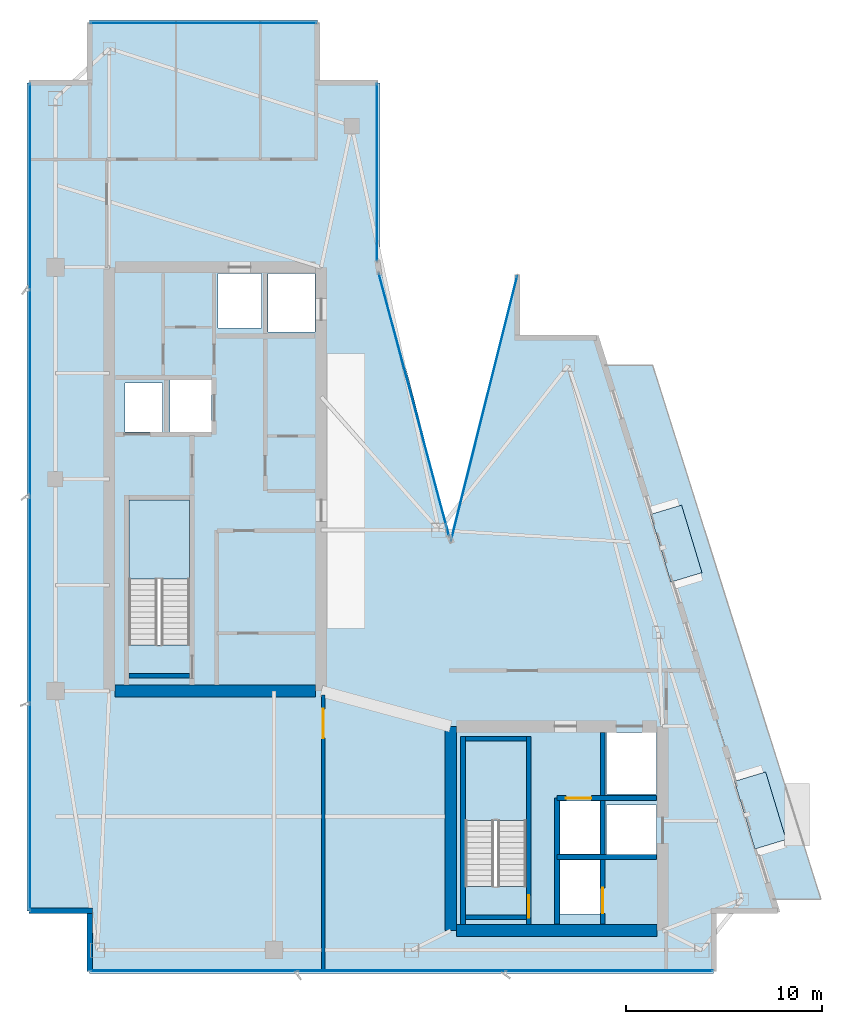
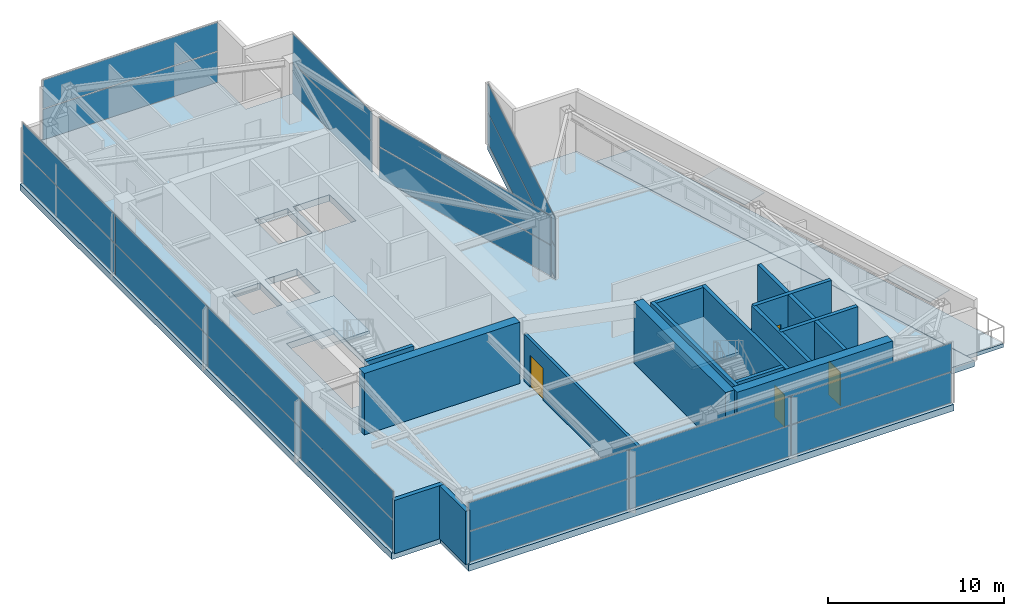
# One storey, part 20 of 25: 24 plates, 15 walls, 4 doors, 4 slabs, 4 openings, 8 elements without a shape of their own.
"""IFC4 building model written with IfcOpenShell, lengths in metres."""

from ifc_helpers import new_model, si_unit, direction, frame, frame_2d, origin, origin_2d, place, context, subcontext, project, spatial, polyline, rectangle, outline, extrude, material, layer, layer_set, type_object, element, fill, aggregate, save


model = new_model("IFC4")

# Units and contexts
model_context = context("Model", 3, precision=1e-05, world=origin(), true_north=direction((0.0, 1.0)))
body_context = subcontext(model_context, "Body", "Model", "MODEL_VIEW")
ifc_project = project(units=[si_unit("LENGTHUNIT", "METRE"), si_unit("AREAUNIT", "SQUARE_METRE"), si_unit("VOLUMEUNIT", "CUBIC_METRE"), si_unit("PLANEANGLEUNIT", "RADIAN"), si_unit("MASSUNIT", "GRAM", prefix="KILO")], contexts=[model_context])

# Site, building, storey
site_placement = place(None, origin())
site = spatial("IfcSite", under=ifc_project, at=site_placement, CompositionType="ELEMENT")
building_placement = place(site_placement, origin())
building = spatial("IfcBuilding", under=site, at=building_placement, Name="Calvorn Quay Hotel", CompositionType="ELEMENT")
storey_placement = place(building_placement, frame((0.0, 0.0, 307.0)))
storey = spatial("IfcBuildingStorey", under=building, at=storey_placement, Name="L76", CompositionType="ELEMENT", Elevation=307.0)

# Curtain wall, plates
ifc_material_1 = material(Name="Champagne Bronze Anodised Aluminium and Low-E Glass", Category="aluminium")
ifc_layer_1 = layer(ifc_material_1, 0.219970703125)
ifc_layer_set_1 = layer_set([ifc_layer_1], Name="CW-SYS-Z4")
curtain_wall_type = type_object("IfcCurtainWallType", Name="CW-SYS-Z4", PredefinedType="NOTDEFINED", material=ifc_layer_set_1)
curtain_wall_1_placement = place(storey_placement, origin())
curtain_wall_1 = element("IfcCurtainWall", 1, at=curtain_wall_1_placement, inside=storey, type_object=curtain_wall_type, Name="Tower West Curtain Wall (L76)", PredefinedType="NOTDEFINED")
ifc_material_2 = material(Name="Low-E Laminated Double Glazing", Category="glass")
ifc_layer_2 = layer(ifc_material_2, 0.028076171875)
ifc_layer_set_2 = layer_set([ifc_layer_2], Name="CW-SYS-Z4-PAN")
plate_type_1 = type_object("IfcPlateType", Name="CW-SYS-Z4-PAN", PredefinedType="CURTAIN_PANEL", material=ifc_layer_set_2)
plate_1_placement = place(storey_placement, frame((0.14990234375, 10.889892578125, 0.06005859375), z_axis=(0.0, 0.0, 1.0), x_axis=(0.0, 1.0, 0.0)))
plate_1 = element("IfcPlate", 2, at=plate_1_placement, type_object=plate_type_1, Name="CW-L76-W panel 1.1", PredefinedType="CURTAIN_PANEL", context=body_context, shape_type="SweptSolid", body=[
    extrude(rectangle(XDim=10.4599609375, YDim=0.028076171875, at=origin_2d()), origin(), (0.0, 0.0, 1.0), 2.110107421875),
])
plate_2_placement = place(storey_placement, frame((0.14990234375, 10.889892578125, 2.22998046875), z_axis=(0.0, 0.0, 1.0), x_axis=(0.0, 1.0, 0.0)))
plate_2 = element("IfcPlate", 3, at=plate_2_placement, type_object=plate_type_1, Name="CW-L76-W panel 1.2", PredefinedType="CURTAIN_PANEL", context=body_context, shape_type="SweptSolid", body=[
    extrude(rectangle(XDim=10.4599609375, YDim=0.028076171875, at=origin_2d()), origin(), (0.0, 0.0, 1.0), 1.969970703125),
])
plate_3_placement = place(storey_placement, frame((0.14990234375, 21.425048828125, 0.06005859375), z_axis=(0.0, 0.0, 1.0), x_axis=(0.0, 1.0, 0.0)))
plate_3 = element("IfcPlate", 4, at=plate_3_placement, type_object=plate_type_1, Name="CW-L76-W panel 2.1", PredefinedType="CURTAIN_PANEL", context=body_context, shape_type="SweptSolid", body=[
    extrude(rectangle(XDim=10.489990234375, YDim=0.028076171875, at=origin_2d()), origin(), (0.0, 0.0, 1.0), 2.110107421875),
])
plate_4_placement = place(storey_placement, frame((0.14990234375, 21.425048828125, 2.22998046875), z_axis=(0.0, 0.0, 1.0), x_axis=(0.0, 1.0, 0.0)))
plate_4 = element("IfcPlate", 5, at=plate_4_placement, type_object=plate_type_1, Name="CW-L76-W panel 2.2", PredefinedType="CURTAIN_PANEL", context=body_context, shape_type="SweptSolid", body=[
    extrude(rectangle(XDim=10.489990234375, YDim=0.028076171875, at=origin_2d()), origin(), (0.0, 0.0, 1.0), 1.969970703125),
])
plate_5_placement = place(storey_placement, frame((0.14990234375, 31.97509765625, 0.06005859375), z_axis=(0.0, 0.0, 1.0), x_axis=(0.0, 1.0, 0.0)))
plate_5 = element("IfcPlate", 6, at=plate_5_placement, type_object=plate_type_1, Name="CW-L76-W panel 3.1", PredefinedType="CURTAIN_PANEL", context=body_context, shape_type="SweptSolid", body=[
    extrude(rectangle(XDim=10.489990234375, YDim=0.028076171875, at=origin_2d()), origin(), (0.0, 0.0, 1.0), 2.110107421875),
])
plate_6_placement = place(storey_placement, frame((0.14990234375, 31.97509765625, 2.22998046875), z_axis=(0.0, 0.0, 1.0), x_axis=(0.0, 1.0, 0.0)))
plate_6 = element("IfcPlate", 7, at=plate_6_placement, type_object=plate_type_1, Name="CW-L76-W panel 3.2", PredefinedType="CURTAIN_PANEL", context=body_context, shape_type="SweptSolid", body=[
    extrude(rectangle(XDim=10.489990234375, YDim=0.028076171875, at=origin_2d()), origin(), (0.0, 0.0, 1.0), 1.969970703125),
])
plate_7_placement = place(storey_placement, frame((0.14990234375, 42.510009765625, 0.06005859375), z_axis=(0.0, 0.0, 1.0), x_axis=(0.0, 1.0, 0.0)))
plate_7 = element("IfcPlate", 8, at=plate_7_placement, type_object=plate_type_1, Name="CW-L76-W panel 4.1", PredefinedType="CURTAIN_PANEL", context=body_context, shape_type="SweptSolid", body=[
    extrude(rectangle(XDim=10.4599609375, YDim=0.028076171875, at=origin_2d()), origin(), (0.0, 0.0, 1.0), 2.110107421875),
])
plate_8_placement = place(storey_placement, frame((0.14990234375, 42.510009765625, 2.22998046875), z_axis=(0.0, 0.0, 1.0), x_axis=(0.0, 1.0, 0.0)))
plate_8 = element("IfcPlate", 9, at=plate_8_placement, type_object=plate_type_1, Name="CW-L76-W panel 4.2", PredefinedType="CURTAIN_PANEL", context=body_context, shape_type="SweptSolid", body=[
    extrude(rectangle(XDim=10.4599609375, YDim=0.028076171875, at=origin_2d()), origin(), (0.0, 0.0, 1.0), 1.969970703125),
])
aggregate(curtain_wall_1, [plate_1, plate_2, plate_3, plate_4, plate_5, plate_6, plate_7, plate_8])

curtain_wall_2_placement = place(storey_placement, origin())
curtain_wall_2 = element("IfcCurtainWall", 10, at=curtain_wall_2_placement, inside=storey, type_object=curtain_wall_type, Name="Tower South Waterfront Curtain Wall (L76)", PredefinedType="NOTDEFINED")
plate_9_placement = place(storey_placement, frame((8.514892578125, 2.550048828125, 0.06005859375), z_axis=(0.0, 0.0, 1.0), x_axis=(1.0, 0.0, 0.0)))
plate_9 = element("IfcPlate", 11, at=plate_9_placement, type_object=plate_type_1, Name="CW-L76-S panel 1.1", PredefinedType="CURTAIN_PANEL", context=body_context, shape_type="SweptSolid", body=[
    extrude(rectangle(XDim=10.510009765625, YDim=0.028076171875, at=origin_2d()), origin(), (0.0, 0.0, 1.0), 2.110107421875),
])
plate_10_placement = place(storey_placement, frame((8.514892578125, 2.550048828125, 2.22998046875), z_axis=(0.0, 0.0, 1.0), x_axis=(1.0, 0.0, 0.0)))
plate_10 = element("IfcPlate", 12, at=plate_10_placement, type_object=plate_type_1, Name="CW-L76-S panel 1.2", PredefinedType="CURTAIN_PANEL", context=body_context, shape_type="SweptSolid", body=[
    extrude(rectangle(XDim=10.510009765625, YDim=0.028076171875, at=origin_2d()), origin(), (0.0, 0.0, 1.0), 1.969970703125),
])
plate_11_placement = place(storey_placement, frame((19.10009765625, 2.550048828125, 0.06005859375), z_axis=(0.0, 0.0, 1.0), x_axis=(1.0, 0.0, 0.0)))
plate_11 = element("IfcPlate", 13, at=plate_11_placement, type_object=plate_type_1, Name="CW-L76-S panel 2.1", PredefinedType="CURTAIN_PANEL", context=body_context, shape_type="SweptSolid", body=[
    extrude(rectangle(XDim=10.5400390625, YDim=0.028076171875, at=origin_2d()), origin(), (0.0, 0.0, 1.0), 2.110107421875),
])
plate_12_placement = place(storey_placement, frame((19.10009765625, 2.550048828125, 2.22998046875), z_axis=(0.0, 0.0, 1.0), x_axis=(1.0, 0.0, 0.0)))
plate_12 = element("IfcPlate", 14, at=plate_12_placement, type_object=plate_type_1, Name="CW-L76-S panel 2.2", PredefinedType="CURTAIN_PANEL", context=body_context, shape_type="SweptSolid", body=[
    extrude(rectangle(XDim=10.5400390625, YDim=0.028076171875, at=origin_2d()), origin(), (0.0, 0.0, 1.0), 1.969970703125),
])
plate_13_placement = place(storey_placement, frame((29.68505859375, 2.550048828125, 0.06005859375), z_axis=(0.0, 0.0, 1.0), x_axis=(1.0, 0.0, 0.0)))
plate_13 = element("IfcPlate", 15, at=plate_13_placement, type_object=plate_type_1, Name="CW-L76-S panel 3.1", PredefinedType="CURTAIN_PANEL", context=body_context, shape_type="SweptSolid", body=[
    extrude(rectangle(XDim=10.510009765625, YDim=0.028076171875, at=origin_2d()), origin(), (0.0, 0.0, 1.0), 2.110107421875),
])
plate_14_placement = place(storey_placement, frame((29.68505859375, 2.550048828125, 2.22998046875), z_axis=(0.0, 0.0, 1.0), x_axis=(1.0, 0.0, 0.0)))
plate_14 = element("IfcPlate", 16, at=plate_14_placement, type_object=plate_type_1, Name="CW-L76-S panel 3.2", PredefinedType="CURTAIN_PANEL", context=body_context, shape_type="SweptSolid", body=[
    extrude(rectangle(XDim=10.510009765625, YDim=0.028076171875, at=origin_2d()), origin(), (0.0, 0.0, 1.0), 1.969970703125),
])
aggregate(curtain_wall_2, [plate_9, plate_10, plate_11, plate_12, plate_13, plate_14])

curtain_wall_3_placement = place(storey_placement, origin())
curtain_wall_3 = element("IfcCurtainWall", 17, at=curtain_wall_3_placement, inside=storey, type_object=curtain_wall_type, Name="Inner Court Curtain Wall L76-NE1", PredefinedType="NOTDEFINED")
plate_15_placement = place(storey_placement, frame((23.300048828125, 31.199951171875, 0.06005859375), z_axis=(0.0, 0.0, 1.0), x_axis=(-0.242535625038, -0.970142500145, 0.0)))
plate_15 = element("IfcPlate", 18, at=plate_15_placement, type_object=plate_type_1, Name="CW-L76-NE1 panel 1.1", PredefinedType="CURTAIN_PANEL", context=body_context, shape_type="SweptSolid", body=[
    extrude(rectangle(XDim=13.8984375, YDim=0.028076171875, at=origin_2d()), origin(), (0.0, 0.0, 1.0), 2.110107421875),
])
plate_16_placement = place(storey_placement, frame((23.300048828125, 31.199951171875, 2.22998046875), z_axis=(0.0, 0.0, 1.0), x_axis=(-0.242535625038, -0.970142500145, 0.0)))
plate_16 = element("IfcPlate", 19, at=plate_16_placement, type_object=plate_type_1, Name="CW-L76-NE1 panel 1.2", PredefinedType="CURTAIN_PANEL", context=body_context, shape_type="SweptSolid", body=[
    extrude(rectangle(XDim=13.8984375, YDim=0.028076171875, at=origin_2d()), origin(), (0.0, 0.0, 1.0), 1.969970703125),
])
aggregate(curtain_wall_3, [plate_15, plate_16])

curtain_wall_4_placement = place(storey_placement, origin())
curtain_wall_4 = element("IfcCurtainWall", 20, at=curtain_wall_4_placement, inside=storey, type_object=curtain_wall_type, Name="Inner Court Curtain Wall L76-IC1", PredefinedType="NOTDEFINED")
plate_17_placement = place(storey_placement, frame((19.72509765625, 31.39990234375, 0.06005859375), z_axis=(0.0, 0.0, 1.0), x_axis=(-0.25877913024, 0.96593652056, 0.0)))
plate_17 = element("IfcPlate", 21, at=plate_17_placement, type_object=plate_type_1, Name="CW-L76-IC1 panel 1.1", PredefinedType="CURTAIN_PANEL", context=body_context, shape_type="SweptSolid", body=[
    extrude(rectangle(XDim=13.814697265625, YDim=0.028076171875, at=origin_2d()), origin(), (0.0, 0.0, 1.0), 2.110107421875),
])
plate_18_placement = place(storey_placement, frame((19.72509765625, 31.39990234375, 2.22998046875), z_axis=(0.0, 0.0, 1.0), x_axis=(-0.25877913024, 0.96593652056, 0.0)))
plate_18 = element("IfcPlate", 22, at=plate_18_placement, type_object=plate_type_1, Name="CW-L76-IC1 panel 1.2", PredefinedType="CURTAIN_PANEL", context=body_context, shape_type="SweptSolid", body=[
    extrude(rectangle(XDim=13.814697265625, YDim=0.028076171875, at=origin_2d()), origin(), (0.0, 0.0, 1.0), 1.969970703125),
])
aggregate(curtain_wall_4, [plate_17, plate_18])

curtain_wall_5_placement = place(storey_placement, origin())
curtain_wall_5 = element("IfcCurtainWall", 23, at=curtain_wall_5_placement, inside=storey, type_object=curtain_wall_type, Name="Inner Court Curtain Wall L76-IC2", PredefinedType="NOTDEFINED")
plate_19_placement = place(storey_placement, frame((17.85009765625, 43.239990234375, 0.06005859375), z_axis=(0.0, 0.0, 1.0), x_axis=(0.0, 1.0, 0.0)))
plate_19 = element("IfcPlate", 24, at=plate_19_placement, type_object=plate_type_1, Name="CW-L76-IC2 panel 1.1", PredefinedType="CURTAIN_PANEL", context=body_context, shape_type="SweptSolid", body=[
    extrude(rectangle(XDim=9.0, YDim=0.028076171875, at=origin_2d()), origin(), (0.0, 0.0, 1.0), 2.110107421875),
])
plate_20_placement = place(storey_placement, frame((17.85009765625, 43.239990234375, 2.22998046875), z_axis=(0.0, 0.0, 1.0), x_axis=(0.0, 1.0, 0.0)))
plate_20 = element("IfcPlate", 25, at=plate_20_placement, type_object=plate_type_1, Name="CW-L76-IC2 panel 1.2", PredefinedType="CURTAIN_PANEL", context=body_context, shape_type="SweptSolid", body=[
    extrude(rectangle(XDim=9.0, YDim=0.028076171875, at=origin_2d()), origin(), (0.0, 0.0, 1.0), 1.969970703125),
])
aggregate(curtain_wall_5, [plate_19, plate_20])

curtain_wall_6_placement = place(storey_placement, origin())
curtain_wall_6 = element("IfcCurtainWall", 26, at=curtain_wall_6_placement, inside=storey, type_object=curtain_wall_type, Name="Inner Court Curtain Wall L76-N1", PredefinedType="NOTDEFINED")
plate_21_placement = place(storey_placement, frame((9.0, 50.85009765625, 0.06005859375), z_axis=(0.0, 0.0, 1.0), x_axis=(-1.0, 0.0, 0.0)))
plate_21 = element("IfcPlate", 27, at=plate_21_placement, type_object=plate_type_1, Name="CW-L76-N1 panel 1.1", PredefinedType="CURTAIN_PANEL", context=body_context, shape_type="SweptSolid", body=[
    extrude(rectangle(XDim=11.47998046875, YDim=0.028076171875, at=origin_2d()), origin(), (0.0, 0.0, 1.0), 2.110107421875),
])
plate_22_placement = place(storey_placement, frame((9.0, 50.85009765625, 2.22998046875), z_axis=(0.0, 0.0, 1.0), x_axis=(-1.0, 0.0, 0.0)))
plate_22 = element("IfcPlate", 28, at=plate_22_placement, type_object=plate_type_1, Name="CW-L76-N1 panel 1.2", PredefinedType="CURTAIN_PANEL", context=body_context, shape_type="SweptSolid", body=[
    extrude(rectangle(XDim=11.47998046875, YDim=0.028076171875, at=origin_2d()), origin(), (0.0, 0.0, 1.0), 1.969970703125),
])
aggregate(curtain_wall_6, [plate_21, plate_22])

# Plates
ifc_material_3 = material(Name="Tempered Laminated Low-E Glass", Category="glass")
ifc_layer_3 = layer(ifc_material_3, 0.0380859375)
ifc_layer_set_3 = layer_set([ifc_layer_3], Name="PLT-HOOD-GLAZ")
plate_type_2 = type_object("IfcPlateType", Name="PLT-HOOD-GLAZ", PredefinedType="SHEET", material=ifc_layer_set_3)
for number, where, z_axis, x_axis, name in (
    (29, (37.3740234375, 10.718017578125, 2.467041015625), (0.0, 0.0, 1.0), (0.957319497532, 0.289031796944, 0.0), "Angled Glass Bay Hood Panel L76-HOOD-1"),
    (30, (33.089111328125, 24.318115234375, 2.467041015625), (0.0, 0.0, 1.0), (0.957319497532, 0.289031796944, 0.0), "Angled Glass Bay Hood Panel L76-HOOD-3"),
):
    element("IfcPlate", number, at=place(storey_placement, frame(where, z_axis=z_axis, x_axis=x_axis)), inside=storey, type_object=plate_type_2, Name=name, PredefinedType="SHEET", context=body_context, shape_type="SweptSolid", body=[
        extrude(rectangle(XDim=1.659912109375, YDim=3.60009765625, at=origin_2d()), origin(), (0.0, 0.0, 1.0), 0.0380859375),
    ])

# Stair, slab
ifc_material_4 = material(Name="Concrete C40", Category="concrete")
stair_type = type_object("IfcStairType", Name="STR-CORE-DOGLEG", PredefinedType="HALF_TURN_STAIR", material=ifc_material_4)
stair_1_placement = place(storey_placement, origin())
stair_1 = element("IfcStair", 31, at=stair_1_placement, inside=storey, type_object=stair_type, Name="L76 ST-W", PredefinedType="HALF_TURN_STAIR")
ifc_material_5 = material(Name="Concrete C40", Category="concrete")
ifc_layer_4 = layer(ifc_material_5, 0.199951171875)
ifc_layer_set_4 = layer_set([ifc_layer_4], Name="SLB-STAIR-LANDING-200")
slab_type_1 = type_object("IfcSlabType", Name="SLB-STAIR-LANDING-200", PredefinedType="LANDING", material=ifc_layer_set_4)
slab_1_placement = place(storey_placement, frame((0.0, 0.0, 2.050048828125)))
slab_1 = element("IfcSlab", 32, at=slab_1_placement, type_object=slab_type_1, Name="ST-W landing 1", PredefinedType="LANDING", context=body_context, shape_type="SweptSolid", body=[
    extrude(outline(polyline([(8.300048828125, 22.510009765625), (8.300048828125, 26.550048828125), (5.199951171875, 26.550048828125), (5.199951171875, 22.510009765625), (8.300048828125, 22.510009765625)])), origin(), (0.0, 0.0, 1.0), 0.199951171875),
])
aggregate(stair_1, [slab_1])

stair_2_placement = place(storey_placement, origin())
stair_2 = element("IfcStair", 33, at=stair_2_placement, inside=storey, type_object=stair_type, Name="L76 ST-E", PredefinedType="HALF_TURN_STAIR")
slab_2_placement = place(storey_placement, frame((0.0, 0.0, 2.050048828125)))
slab_2 = element("IfcSlab", 34, at=slab_2_placement, type_object=slab_type_1, Name="ST-E landing 1", PredefinedType="LANDING", context=body_context, shape_type="SweptSolid", body=[
    extrude(outline(polyline([(25.449951171875, 10.2099609375), (25.449951171875, 14.25), (22.35009765625, 14.25), (22.35009765625, 10.2099609375), (25.449951171875, 10.2099609375)])), origin(), (0.0, 0.0, 1.0), 0.199951171875),
])
aggregate(stair_2, [slab_2])

# Slabs
ifc_material_6 = material(Name="Concrete C40", Category="concrete")
ifc_layer_5 = layer(ifc_material_6, 0.260009765625)
ifc_layer_set_5 = layer_set([ifc_layer_5], Name="SLB-TERRACE-260")
slab_type_2 = type_object("IfcSlabType", Name="SLB-TERRACE-260", PredefinedType="ROOF", material=ifc_layer_set_5)
slab_3_placement = place(storey_placement, frame((0.0, 0.0, -0.260009765625)))
element("IfcSlab", 35, at=slab_3_placement, inside=storey, type_object=slab_type_2, Name="Sawtooth Setback Terrace Slab L76", PredefinedType="ROOF", context=body_context, shape_type="SweptSolid", body=[
    extrude(outline(polyline([(38.031005859375, 6.199951171875), (40.4609375, 6.199951171875), (31.89111328125, 33.39990234375), (29.4609375, 33.39990234375), (38.031005859375, 6.199951171875)])), origin(), (0.0, 0.0, 1.0), 0.260009765625),
])
ifc_material_7 = material(Name="Concrete C50", Category="concrete")
ifc_layer_6 = layer(ifc_material_7, 0.449951171875)
ifc_layer_set_6 = layer_set([ifc_layer_6], Name="SLB-XFER-450")
slab_type_3 = type_object("IfcSlabType", Name="SLB-XFER-450", PredefinedType="FLOOR", material=ifc_layer_set_6)
slab_4_placement = place(storey_placement, frame((0.0, 0.0, -0.449951171875)))
element("IfcSlab", 36, at=slab_4_placement, inside=storey, type_object=slab_type_3, Name="L76 Structural Floor Slab", PredefinedType="FLOOR", context=body_context, shape_type="SweptSolid", body=[
    extrude(outline(polyline([(0.0, 5.60009765625), (3.199951171875, 5.60009765625), (3.199951171875, 2.39990234375), (35.0, 2.39990234375), (35.0, 5.60009765625), (38.199951171875, 5.60009765625), (29.0, 34.800048828125), (25.0, 34.800048828125), (25.0, 38.0), (21.60009765625, 24.39990234375), (18.0, 38.39990234375), (18.0, 47.800048828125), (14.800048828125, 47.800048828125), (14.800048828125, 51.0), (3.199951171875, 51.0), (3.199951171875, 47.800048828125), (0.0, 47.800048828125), (0.0, 5.60009765625)]), holes=[polyline([(5.199951171875, 19.156005859375), (8.300048828125, 19.156005859375), (8.300048828125, 26.550048828125), (5.199951171875, 26.550048828125), (5.199951171875, 19.156005859375)]), polyline([(22.35009765625, 6.85595703125), (25.449951171875, 6.85595703125), (25.449951171875, 14.25), (22.35009765625, 14.25), (22.35009765625, 6.85595703125)]), polyline([(5.0, 30.0), (6.89990234375, 30.0), (6.89990234375, 32.5), (5.0, 32.5), (5.0, 30.0)]), polyline([(7.300048828125, 30.0), (9.39990234375, 30.0), (9.39990234375, 32.64990234375), (7.300048828125, 32.64990234375), (7.300048828125, 30.0)]), polyline([(27.159912109375, 8.5), (29.2099609375, 8.5), (29.2099609375, 11.199951171875), (27.159912109375, 11.199951171875), (27.159912109375, 8.5)]), polyline([(27.159912109375, 5.449951171875), (29.2099609375, 5.449951171875), (29.2099609375, 8.199951171875), (27.159912109375, 8.199951171875), (27.159912109375, 5.449951171875)]), polyline([(12.300048828125, 35.10009765625), (14.68994140625, 35.10009765625), (14.68994140625, 38.090087890625), (12.300048828125, 38.090087890625), (12.300048828125, 35.10009765625)]), polyline([(9.75, 35.300048828125), (11.949951171875, 35.300048828125), (11.949951171875, 38.090087890625), (9.75, 38.090087890625), (9.75, 35.300048828125)]), polyline([(29.550048828125, 11.550048828125), (32.090087890625, 11.550048828125), (32.090087890625, 14.68994140625), (29.550048828125, 14.68994140625), (29.550048828125, 11.550048828125)]), polyline([(29.550048828125, 8.449951171875), (32.090087890625, 8.449951171875), (32.090087890625, 11.0), (29.550048828125, 11.0), (29.550048828125, 8.449951171875)])]), origin(), (0.0, 0.0, 1.0), 0.449951171875),
])

# Walls
ifc_material_8 = material(Name="Concrete C45", Category="concrete")
ifc_layer_7 = layer(ifc_material_8, 0.60009765625)
ifc_layer_set_7 = layer_set([ifc_layer_7], Name="WL-CORE-600")
wall_type_1 = type_object("IfcWallType", Name="WL-CORE-600", PredefinedType="SHEAR", material=ifc_layer_set_7)
wall_1_placement = place(storey_placement, frame((4.5, 16.800048828125, 0.0), z_axis=(0.0, 0.0, 1.0), x_axis=(1.0, 0.0, 0.0)))
element("IfcWall", 37, at=wall_1_placement, inside=storey, type_object=wall_type_1, Name="West Core Shear Wall S (L76)", PredefinedType="SHEAR", context=body_context, shape_type="SweptSolid", body=[
    extrude(rectangle(XDim=10.199951171875, YDim=0.60009765625, at=frame_2d((5.10009765625, 0.0))), origin(), (0.0, 0.0, 1.0), 4.260009765625),
])
wall_2_placement = place(storey_placement, frame((21.60009765625, 4.60009765625, 0.0), z_axis=(0.0, 0.0, 1.0), x_axis=(0.0, 1.0, 0.0)))
element("IfcWall", 38, at=wall_2_placement, inside=storey, type_object=wall_type_1, Name="East Core Shear Wall W (L76)", PredefinedType="SHEAR", context=body_context, shape_type="SweptSolid", body=[
    extrude(rectangle(XDim=10.39990234375, YDim=0.60009765625, at=frame_2d((5.199951171875, 0.0))), origin(), (0.0, 0.0, 1.0), 4.260009765625),
])
wall_3_placement = place(storey_placement, frame((21.89990234375, 4.60009765625, 0.0), z_axis=(0.0, 0.0, 1.0), x_axis=(1.0, 0.0, 0.0)))
element("IfcWall", 39, at=wall_3_placement, inside=storey, type_object=wall_type_1, Name="East Core Shear Wall S (L76)", PredefinedType="SHEAR", context=body_context, shape_type="SweptSolid", body=[
    extrude(rectangle(XDim=10.2001953125, YDim=0.60009765625, at=frame_2d((5.10009765625, 0.0))), origin(), (0.0, 0.0, 1.0), 4.260009765625),
])

# Wall, opening, door
ifc_material_9 = material(Name="Acoustic Fireboard Steel-Stud Partition", Category="steel")
ifc_layer_8 = layer(ifc_material_9, 0.179931640625)
ifc_layer_set_8 = layer_set([ifc_layer_8], Name="WL-CORR-FIRE-180")
wall_type_2 = type_object("IfcWallType", Name="WL-CORR-FIRE-180", PredefinedType="PARTITIONING", material=ifc_layer_set_8)
wall_4_placement = place(storey_placement, frame((15.10009765625, 2.60009765625, 0.0), z_axis=(0.0, 0.0, 1.0), x_axis=(0.0, 1.0, 0.0)))
wall_4 = element("IfcWall", 40, at=wall_4_placement, inside=storey, type_object=wall_type_2, Name="Partition Wall L76-WL-SK-SW-E", PredefinedType="PARTITIONING", context=body_context, shape_type="SweptSolid", body=[
    extrude(rectangle(XDim=14.0, YDim=0.179931640625, at=frame_2d((7.0, 0.0))), origin(), (0.0, 0.0, 1.0), 3.2900390625),
])
opening_1_placement = place(wall_4_placement, frame((11.800048828125, 0.0, 0.0)))
opening_1 = element("IfcOpeningElement", 41, at=opening_1_placement, cuts=wall_4, Name="Opening D-L76-A1", PredefinedType="OPENING", context=body_context, shape_type="SweptSolid", body=[
    extrude(rectangle(XDim=1.5, YDim=2.219970703125, at=frame_2d((0.75, 1.10986328125))), frame((0.0, 0.099853515625, 0.0), z_axis=(0.0, -1.0, 0.0), x_axis=(1.0, 0.0, 0.0)), (0.0, 0.0, 1.0), 0.199951171875),
])
ifc_material_10 = material(Name="Solid-Core Walnut Double Suite Entry Door")
door_type_1 = type_object("IfcDoorType", Name="DR-SUITE-DBL-1500", OperationType="NOTDEFINED", PredefinedType="DOOR", material=ifc_material_10)
door_1_placement = place(opening_1_placement, origin())
door_1 = element("IfcDoor", 42, at=door_1_placement, inside=storey, type_object=door_type_1, Name="West Salon Door", OperationType="SINGLE_SWING_LEFT", OverallHeight=2.219970703125, OverallWidth=1.5, PredefinedType="DOOR", context=body_context, shape_type="SweptSolid", body=[
    extrude(rectangle(XDim=1.5, YDim=2.219970703125, at=frame_2d((0.75, 1.10986328125))), frame((0.0, 0.02490234375, 0.0), z_axis=(0.0, -1.0, 0.0), x_axis=(1.0, 0.0, 0.0)), (0.0, 0.0, 1.0), 0.050048828125),
])
fill(opening_1, door_1)

# Walls
ifc_material_11 = material(Name="Concrete C40", Category="concrete")
ifc_layer_9 = layer(ifc_material_11, 0.320068359375)
ifc_layer_set_9 = layer_set([ifc_layer_9], Name="WL-EXT-SPANDREL-320")
wall_type_3 = type_object("IfcWallType", Name="WL-EXT-SPANDREL-320", PredefinedType="SOLIDWALL", material=ifc_layer_set_9)
wall_5_placement = place(storey_placement, frame((0.1201171875, 5.60009765625, 0.0), z_axis=(0.0, 0.0, 1.0), x_axis=(1.0, 0.0, 0.0)))
element("IfcWall", 43, at=wall_5_placement, inside=storey, type_object=wall_type_3, Name="Notched Corner Spandrel L76-SW1", PredefinedType="SOLIDWALL", context=body_context, shape_type="SweptSolid", body=[
    extrude(rectangle(XDim=3.219970703125, YDim=0.280029296875, at=frame_2d((1.60986328125, 0.0))), origin(), (0.0, 0.0, 1.0), 3.68994140625),
])
wall_6_placement = place(storey_placement, frame((3.199951171875, 5.4599609375, 0.0), z_axis=(0.0, 0.0, 1.0), x_axis=(0.0, -1.0, 0.0)))
element("IfcWall", 44, at=wall_6_placement, inside=storey, type_object=wall_type_3, Name="Notched Corner Spandrel L76-SW2", PredefinedType="SOLIDWALL", context=body_context, shape_type="SweptSolid", body=[
    extrude(rectangle(XDim=2.93994140625, YDim=0.280029296875, at=frame_2d((1.469970703125, 0.0))), origin(), (0.0, 0.0, 1.0), 3.68994140625),
])
ifc_material_12 = material(Name="Concrete C40", Category="concrete")
ifc_layer_10 = layer(ifc_material_12, 0.239990234375)
ifc_layer_set_10 = layer_set([ifc_layer_10], Name="WL-SHAFT-240")
wall_type_4 = type_object("IfcWallType", Name="WL-SHAFT-240", PredefinedType="SOLIDWALL", material=ifc_layer_set_10)
wall_7_placement = place(storey_placement, frame((5.199951171875, 17.580078125, 0.0), z_axis=(0.0, 0.0, 1.0), x_axis=(1.0, 0.0, 0.0)))
element("IfcWall", 45, at=wall_7_placement, inside=storey, type_object=wall_type_4, Name="Stair STW Shaft Wall S (L76)", PredefinedType="SOLIDWALL", context=body_context, shape_type="SweptSolid", body=[
    extrude(rectangle(XDim=3.10009765625, YDim=0.239990234375, at=frame_2d((1.550048828125, 0.0))), origin(), (0.0, 0.0, 1.0), 4.260009765625),
])
wall_8_placement = place(storey_placement, frame((22.22998046875, 4.89990234375, 0.0), z_axis=(0.0, 0.0, 1.0), x_axis=(0.0, 1.0, 0.0)))
element("IfcWall", 46, at=wall_8_placement, inside=storey, type_object=wall_type_4, Name="Stair STE Shaft Wall W (L76)", PredefinedType="SOLIDWALL", context=body_context, shape_type="SweptSolid", body=[
    extrude(rectangle(XDim=9.590087890625, YDim=0.239990234375, at=frame_2d((4.794921875, 0.0))), origin(), (0.0, 0.0, 1.0), 4.260009765625),
])

# Wall, opening, door
wall_9_placement = place(storey_placement, frame((25.570068359375, 4.89990234375, 0.0), z_axis=(0.0, 0.0, 1.0), x_axis=(0.0, 1.0, 0.0)))
wall_9 = element("IfcWall", 47, at=wall_9_placement, inside=storey, type_object=wall_type_4, Name="Stair STE Shaft Wall E (L76)", PredefinedType="SOLIDWALL", context=body_context, shape_type="SweptSolid", body=[
    extrude(rectangle(XDim=9.590087890625, YDim=0.239990234375, at=frame_2d((4.794921875, 0.0))), origin(), (0.0, 0.0, 1.0), 4.260009765625),
])
opening_2_placement = place(wall_9_placement, frame((0.35009765625, 0.0, 0.0)))
opening_2 = element("IfcOpeningElement", 48, at=opening_2_placement, cuts=wall_9, Name="Opening D-L76-STE", PredefinedType="OPENING", context=body_context, shape_type="SweptSolid", body=[
    extrude(rectangle(XDim=1.14990234375, YDim=2.199951171875, at=frame_2d((0.574951171875, 1.10009765625))), frame((0.0, 0.1298828125, 0.0), z_axis=(0.0, -1.0, 0.0), x_axis=(1.0, 0.0, 0.0)), (0.0, 0.0, 1.0), 0.260009765625),
])
ifc_material_13 = material(Name="Galvanised Steel Class A Fire Door", Category="steel")
door_type_2 = type_object("IfcDoorType", Name="DR-STAIR-SMOKE-1150", OperationType="NOTDEFINED", PredefinedType="DOOR", material=ifc_material_13)
door_2_placement = place(opening_2_placement, origin())
door_2 = element("IfcDoor", 49, at=door_2_placement, inside=storey, type_object=door_type_2, Name="Stair ST-E Fire Door (L76)", OperationType="SINGLE_SWING_RIGHT", OverallHeight=2.199951171875, OverallWidth=1.14990234375, PredefinedType="DOOR", context=body_context, shape_type="SweptSolid", body=[
    extrude(rectangle(XDim=1.14990234375, YDim=2.199951171875, at=frame_2d((0.574951171875, 1.10009765625))), frame((0.0, 0.02490234375, 0.0), z_axis=(0.0, -1.0, 0.0), x_axis=(1.0, 0.0, 0.0)), (0.0, 0.0, 1.0), 0.050048828125),
])
fill(opening_2, door_2)

# Walls
for number, where, z_axis, x_axis, name in (
    (50, (22.35009765625, 5.280029296875, 0.0), (0.0, 0.0, 1.0), (1.0, 0.0, 0.0), "Stair STE Shaft Wall S (L76)"),
    (51, (22.35009765625, 14.3701171875, 0.0), (0.0, 0.0, 1.0), (1.0, 0.0, 0.0), "Stair STE Shaft Wall N (L76)"),
):
    element("IfcWall", number, at=place(storey_placement, frame(where, z_axis=z_axis, x_axis=x_axis)), inside=storey, type_object=wall_type_4, Name=name, PredefinedType="SOLIDWALL", context=body_context, shape_type="SweptSolid", body=[
        extrude(rectangle(XDim=3.099853515625, YDim=0.239990234375, at=frame_2d((1.5498046875, 0.0))), origin(), (0.0, 0.0, 1.0), 4.260009765625),
    ])
wall_10_placement = place(storey_placement, frame((27.02001953125, 4.919921875, 0.0), z_axis=(0.0, 0.0, 1.0), x_axis=(0.0, 1.0, 0.0)))
element("IfcWall", 52, at=wall_10_placement, inside=storey, type_object=wall_type_4, Name="Partition Wall L76-WL-CWE-SH-W", PredefinedType="SOLIDWALL", context=body_context, shape_type="SweptSolid", body=[
    extrude(rectangle(XDim=6.43017578125, YDim=0.239990234375, at=frame_2d((3.215087890625, 0.0))), origin(), (0.0, 0.0, 1.0), 4.260009765625),
])

# Wall, opening, door
wall_11_placement = place(storey_placement, frame((27.02001953125, 11.35009765625, 0.0), z_axis=(0.0, 0.0, 1.0), x_axis=(1.0, 0.0, 0.0)))
wall_11 = element("IfcWall", 53, at=wall_11_placement, inside=storey, type_object=wall_type_4, Name="Partition Wall L76-WL-CWE-FFL-S", PredefinedType="SOLIDWALL", context=body_context, shape_type="SweptSolid", body=[
    extrude(rectangle(XDim=5.06005859375, YDim=0.239990234375, at=frame_2d((2.530029296875, 0.0))), origin(), (0.0, 0.0, 1.0), 4.260009765625),
])
opening_3_placement = place(wall_11_placement, frame((0.449951171875, 0.0, 0.0)))
opening_3 = element("IfcOpeningElement", 54, at=opening_3_placement, cuts=wall_11, Name="Opening LD-L76-FLE1", PredefinedType="OPENING", context=body_context, shape_type="SweptSolid", body=[
    extrude(rectangle(XDim=1.300048828125, YDim=2.35009765625, at=frame_2d((0.64990234375, 1.175048828125))), frame((0.0, 0.1298828125, 0.0), z_axis=(0.0, -1.0, 0.0), x_axis=(1.0, 0.0, 0.0)), (0.0, 0.0, 1.0), 0.260009765625),
])
ifc_material_14 = material(Name="Champagne-Bronze Sliding Express Lift Landing Door")
door_type_3 = type_object("IfcDoorType", Name="DR-LIFT-SHUTTLE-1300", OperationType="NOTDEFINED", PredefinedType="DOOR", material=ifc_material_14)
door_3_placement = place(opening_3_placement, origin())
door_3 = element("IfcDoor", 55, at=door_3_placement, inside=storey, type_object=door_type_3, Name="Firefighting Lift FL-E1 Landing Door (L76)", OperationType="DOUBLE_DOOR_SLIDING", OverallHeight=2.35009765625, OverallWidth=1.300048828125, PredefinedType="DOOR", context=body_context, shape_type="SweptSolid", body=[
    extrude(rectangle(XDim=1.300048828125, YDim=2.35009765625, at=frame_2d((0.64990234375, 1.175048828125))), frame((0.0, 0.02490234375, 0.0), z_axis=(0.0, -1.0, 0.0), x_axis=(1.0, 0.0, 0.0)), (0.0, 0.0, 1.0), 0.050048828125),
])
fill(opening_3, door_3)

# Wall
wall_12_placement = place(storey_placement, frame((27.02001953125, 8.35009765625, 0.0), z_axis=(0.0, 0.0, 1.0), x_axis=(1.0, 0.0, 0.0)))
element("IfcWall", 56, at=wall_12_placement, inside=storey, type_object=wall_type_4, Name="Partition Wall L76-WL-CWE-SL-N", PredefinedType="SOLIDWALL", context=body_context, shape_type="SweptSolid", body=[
    extrude(rectangle(XDim=5.06005859375, YDim=0.239990234375, at=frame_2d((2.530029296875, 0.0))), origin(), (0.0, 0.0, 1.0), 4.260009765625),
])

# Wall, opening, door
wall_13_placement = place(storey_placement, frame((29.35009765625, 4.919921875, 0.0), z_axis=(0.0, 0.0, 1.0), x_axis=(0.0, 1.0, 0.0)))
wall_13 = element("IfcWall", 57, at=wall_13_placement, inside=storey, type_object=wall_type_4, Name="Partition Wall L76-WL-CWE-OB-W", PredefinedType="SOLIDWALL", context=body_context, shape_type="SweptSolid", body=[
    extrude(rectangle(XDim=9.760009765625, YDim=0.239990234375, at=frame_2d((4.8798828125, 0.0))), origin(), (0.0, 0.0, 1.0), 4.260009765625),
])
opening_4_placement = place(wall_13_placement, frame((0.550048828125, 0.0, 0.0)))
opening_4 = element("IfcOpeningElement", 58, at=opening_4_placement, cuts=wall_13, Name="Opening LD-L76-SLEI", PredefinedType="OPENING", context=body_context, shape_type="SweptSolid", body=[
    extrude(rectangle(XDim=1.300048828125, YDim=2.35009765625, at=frame_2d((0.64990234375, 1.175048828125))), frame((0.0, 0.1298828125, 0.0), z_axis=(0.0, -1.0, 0.0), x_axis=(1.0, 0.0, 0.0)), (0.0, 0.0, 1.0), 0.260009765625),
])
door_4_placement = place(opening_4_placement, origin())
door_4 = element("IfcDoor", 59, at=door_4_placement, inside=storey, type_object=door_type_3, Name="Service Lift SL-E1 Landing Door (L76)", OperationType="DOUBLE_DOOR_SLIDING", OverallHeight=2.35009765625, OverallWidth=1.300048828125, PredefinedType="DOOR", context=body_context, shape_type="SweptSolid", body=[
    extrude(rectangle(XDim=1.300048828125, YDim=2.35009765625, at=frame_2d((0.64990234375, 1.175048828125))), frame((0.0, 0.02490234375, 0.0), z_axis=(0.0, -1.0, 0.0), x_axis=(1.0, 0.0, 0.0)), (0.0, 0.0, 1.0), 0.050048828125),
])
fill(opening_4, door_4)

save(model, "model.ifc")
